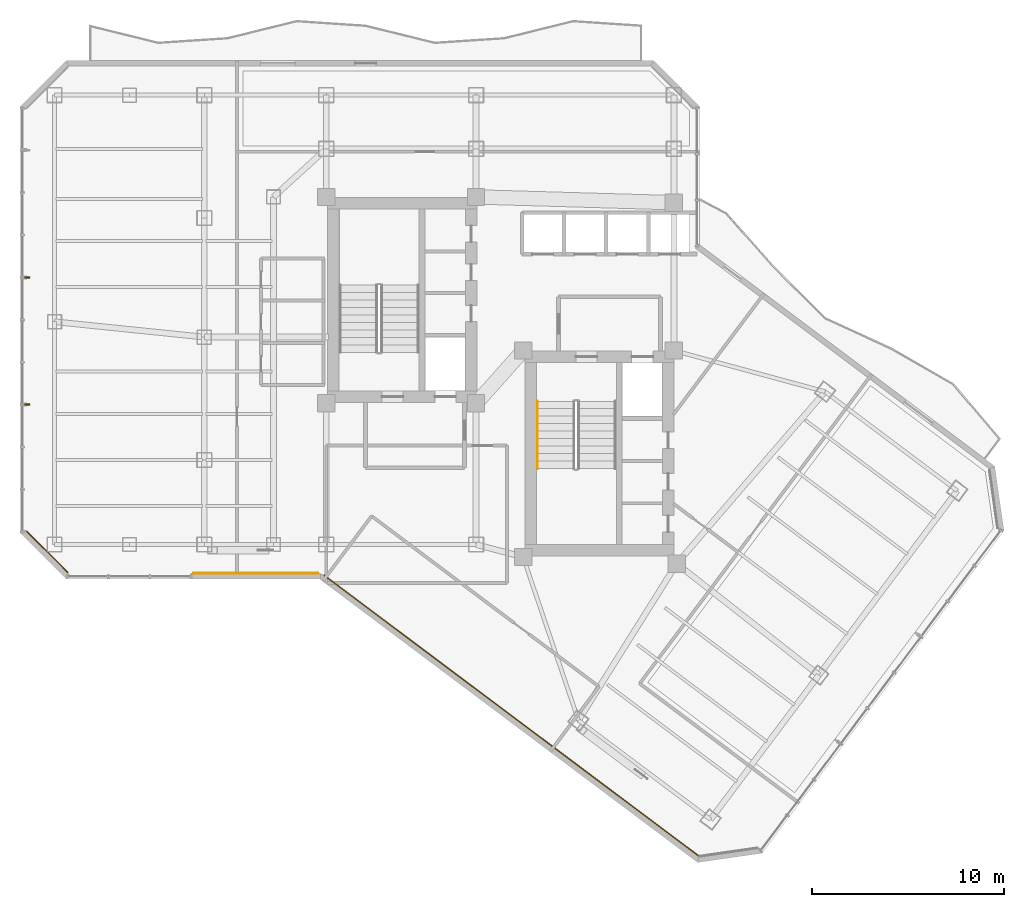
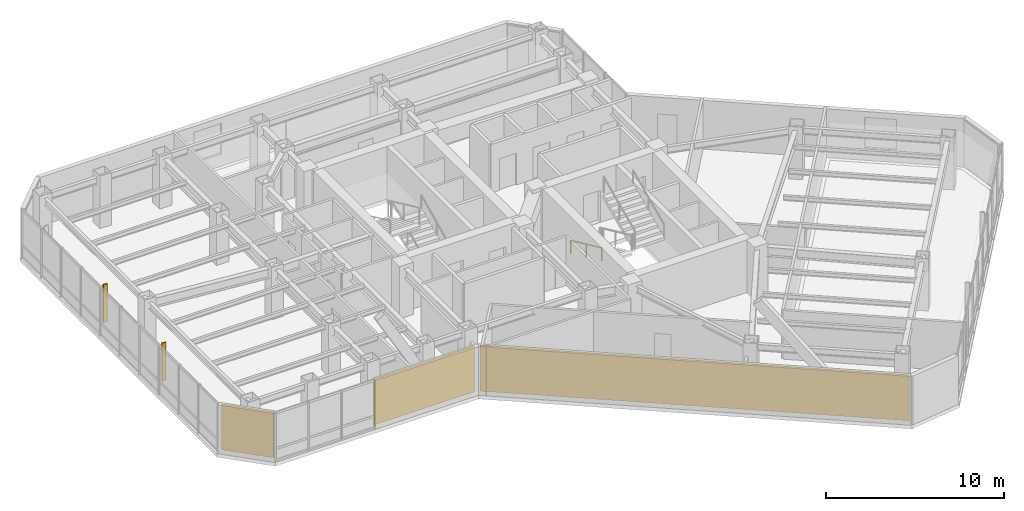
# One storey, part 25 of 28: 3 coverings, 2 shading devices, 1 railing.
"""IFC4 building model written with IfcOpenShell, lengths in metres."""

from ifc_helpers import new_model, si_unit, direction, frame, origin, origin_2d, place, context, subcontext, project, spatial, rectangle, circle, extrude, material, layer, layer_set, type_object, element, save


model = new_model("IFC4")

# Units and contexts
model_context = context("Model", 3, precision=1e-05, world=origin(), true_north=direction((0.0, 1.0)))
body_context = subcontext(model_context, "Body", "Model", "MODEL_VIEW")
ifc_project = project(units=[si_unit("LENGTHUNIT", "METRE"), si_unit("AREAUNIT", "SQUARE_METRE"), si_unit("VOLUMEUNIT", "CUBIC_METRE"), si_unit("PLANEANGLEUNIT", "RADIAN"), si_unit("MASSUNIT", "GRAM", prefix="KILO")], contexts=[model_context])

# Site, building, storey
site_placement = place(None, origin())
site = spatial("IfcSite", under=ifc_project, at=site_placement, CompositionType="ELEMENT")
building_placement = place(site_placement, origin())
building = spatial("IfcBuilding", under=site, at=building_placement, Name="Hatsunagi Terrace Concourse", CompositionType="ELEMENT")
storey_placement = place(building_placement, frame((0.0, 0.0, 170.85009765625)))
storey = spatial("IfcBuildingStorey", under=building, at=storey_placement, Name="L45", CompositionType="ELEMENT", Elevation=170.85009765625)

# Railing
ifc_material_1 = material(Name="Stainless steel", Category="steel")
ifc_layer_1 = layer(ifc_material_1, 0.044921875)
ifc_layer_set_1 = layer_set([ifc_layer_1], Name="StairPitchHandrail_Tower2000")
railing_type = type_object("IfcRailingType", Name="StairPitchHandrail_Tower2000", PredefinedType="HANDRAIL", material=ifc_layer_set_1)
railing_placement = place(storey_placement, frame((36.550048828125, 32.659912109375, 0.179931640625)))
element("IfcRailing", 1, at=railing_placement, inside=storey, type_object=railing_type, Name="L45 ST-B stair handrail 1", PredefinedType="HANDRAIL", context=body_context, shape_type="SweptSolid", body=[
    extrude(circle(Radius=0.02392578125, at=origin_2d()), frame((0.0, 0.0, 0.8759765625), z_axis=(0.0, -0.907972323039, 0.419030142823), x_axis=(1.0, 0.0, 0.0)), (0.0, 0.0, 1.0), 3.86572265625),
    extrude(circle(Radius=0.02099609375, at=origin_2d()), origin(), (0.0, 0.0, 1.0), 0.851806640625),
    extrude(circle(Radius=0.02099609375, at=origin_2d()), frame((0.0, -1.7548828125, 0.81005859375)), (0.0, 0.0, 1.0), 0.851806640625),
    extrude(circle(Radius=0.02099609375, at=origin_2d()), frame((0.0, -3.510009765625, 1.619873046875)), (0.0, 0.0, 1.0), 0.851806640625),
])

# Shading devices
ifc_material_2 = material(Name="Extruded Unglazed Terracotta Baguette", Category="masonry")
shading_device_type = type_object("IfcShadingDeviceType", Name="TerracottaFinScreen_260x70", PredefinedType="USERDEFINED", material=ifc_material_2)
for number, where, z_axis, x_axis, name in (
    (2, (9.989990234375, 32.48291015625, 0.849853515625), (0.0, 0.0, 1.0), (0.0, 1.0, 0.0), "Terracotta Baguette Fin Screen SCR-01"),
    (3, (9.989990234375, 39.10791015625, 0.849853515625), (0.0, 0.0, 1.0), (0.0, 1.0, 0.0), "Terracotta Baguette Fin Screen SCR-01"),
):
    element("IfcShadingDevice", number, at=place(storey_placement, frame(where, z_axis=z_axis, x_axis=x_axis)), inside=storey, type_object=shading_device_type, Name=name, ObjectType="SUNSHADE", PredefinedType="USERDEFINED", context=body_context, shape_type="SweptSolid", body=[
        extrude(rectangle(XDim=0.070068359375, YDim=0.260009765625, at=origin_2d()), origin(), (0.0, 0.0, 1.0), 2.60009765625),
    ])

# Coverings
ifc_material_3 = material(Name="Unglazed Warm Terracotta Rainscreen Tile", Category="masonry")
ifc_layer_2 = layer(ifc_material_3, 0.044921875)
ifc_layer_set_2 = layer_set([ifc_layer_2], Name="TerracottaRainscreenCladding_45")
covering_type = type_object("IfcCoveringType", Name="TerracottaRainscreenCladding_45", PredefinedType="CLADDING", material=ifc_layer_set_2)
covering_1_placement = place(storey_placement, frame((35.179931640625, 16.29296875, 0.099853515625), z_axis=(0.0, 0.0, 1.0), x_axis=(-0.800005211305, 0.599993051531, 0.0)))
element("IfcCovering", 4, at=covering_1_placement, inside=storey, type_object=covering_type, Name="Terracotta Rainscreen Cladding L45-05", PredefinedType="CLADDING", context=body_context, shape_type="SweptSolid", body=[
    extrude(rectangle(XDim=24.34912109375, YDim=0.044921875, at=origin_2d()), origin(), (0.0, 0.0, 1.0), 3.14990234375),
])
covering_2_placement = place(storey_placement, frame((21.873046875, 23.701904296875, 0.099853515625), z_axis=(0.0, 0.0, 1.0), x_axis=(-1.0, 0.0, 0.0)))
element("IfcCovering", 5, at=covering_2_placement, inside=storey, type_object=covering_type, Name="Terracotta Rainscreen Cladding L45-06", PredefinedType="CLADDING", context=body_context, shape_type="SweptSolid", body=[
    extrude(rectangle(XDim=6.507080078125, YDim=0.044921875, at=origin_2d()), origin(), (0.0, 0.0, 1.0), 3.14990234375),
])
covering_3_placement = place(storey_placement, frame((11.013916015625, 24.81396484375, 0.099853515625), z_axis=(0.0, 0.0, 1.0), x_axis=(-0.707106781187, 0.707106781187, 0.0)))
element("IfcCovering", 6, at=covering_3_placement, inside=storey, type_object=covering_type, Name="Terracotta Rainscreen Cladding L45-08", PredefinedType="CLADDING", context=body_context, shape_type="SweptSolid", body=[
    extrude(rectangle(XDim=3.0380859375, YDim=0.044921875, at=origin_2d()), origin(), (0.0, 0.0, 1.0), 3.14990234375),
])

save(model, "model.ifc")
